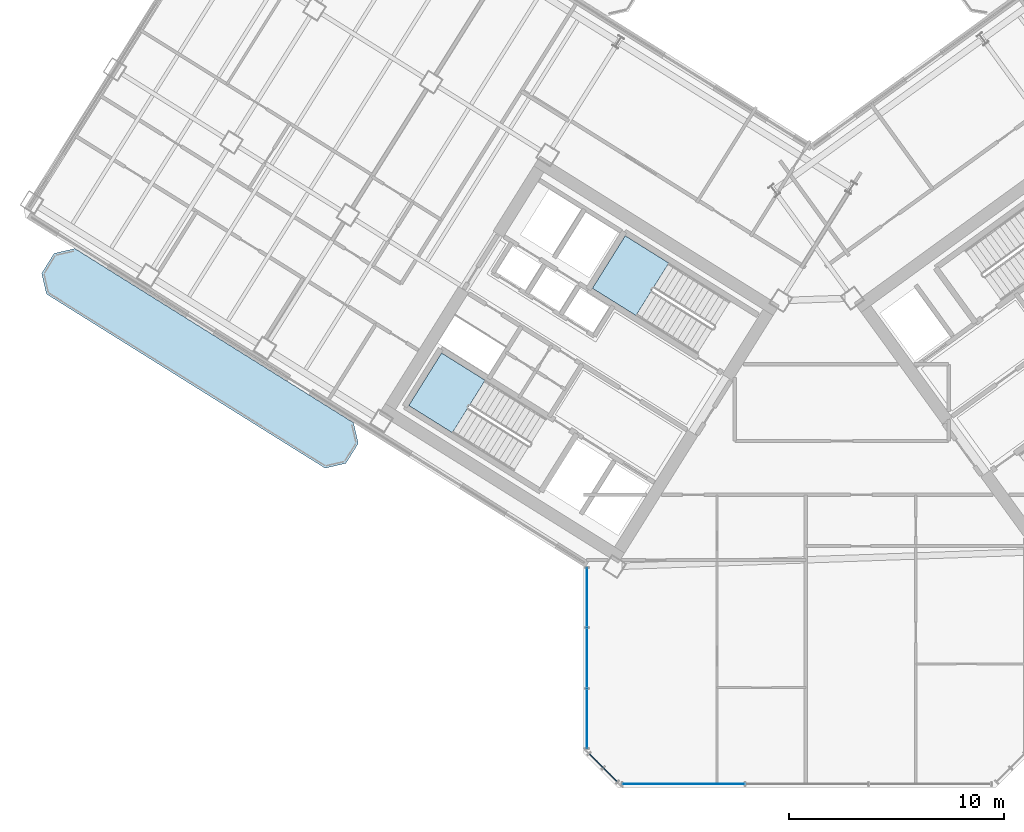
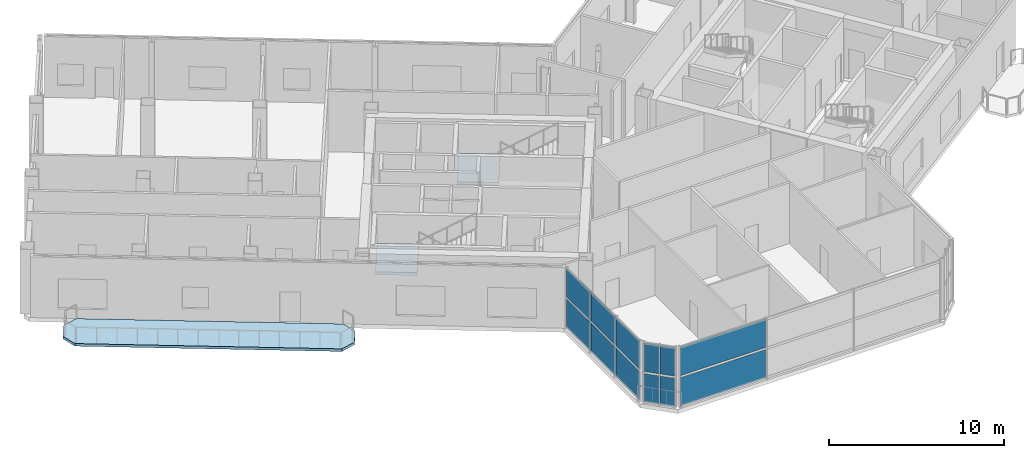
# One storey, part 8 of 21: 12 plates, 3 slabs, 5 elements without a shape of their own.
"""IFC4 building model written with IfcOpenShell, lengths in metres."""

import ifcopenshell
import ifcopenshell.guid

model = None  # the IFC model being written
_history = None  # IfcOwnerHistory: only IFC2X3 demands one
_inside = {}  # id of a spatial element -> (the spatial element, [elements in it])
_under = {}  # id of a project, library or spatial element -> (it, [spatial elements below it])
_declared = {}  # id of a project -> (the project, [libraries it declares])
_typed = {}  # id of a type object -> (the type object, [elements of that type])
_made_of = {}  # id of a material, layer set ... -> (it, [elements and type objects made of it])


def new_model(schema):
    """Start an empty IFC model of exactly this schema.

    Asked for "IFC4X3", IfcOpenShell would pick the latest addendum, in which some entities
    have other attributes; the version numbers below select the first issue.
    IFC2X3 requires an IfcOwnerHistory on every rooted entity: one is made here for all.
    """
    global model, _history
    if schema == "IFC4X3":
        model = ifcopenshell.file(schema_version=(4, 3, 0, 0))
    else:
        model = ifcopenshell.file(schema=schema)
    _inside.clear()
    _under.clear()
    _declared.clear()
    _typed.clear()
    _made_of.clear()
    _history = None
    if model.schema == "IFC2X3":
        org = make("IfcOrganization", Name="unknown")
        user = make(
            "IfcPersonAndOrganization",
            ThePerson=make("IfcPerson", FamilyName="unknown"),
            TheOrganization=org,
        )
        app = make(
            "IfcApplication",
            ApplicationDeveloper=org,
            Version="unknown",
            ApplicationFullName="unknown",
            ApplicationIdentifier="unknown",
        )
        _history = make(
            "IfcOwnerHistory",
            OwningUser=user,
            OwningApplication=app,
            ChangeAction="ADDED",
            CreationDate=0,
        )
    return model


def make(cls, **values):
    """One entity of the class cls with the attributes given. An attribute that is None is left unset."""
    return model.create_entity(
        cls, **{name: value for name, value in values.items() if value is not None}
    )


def rooted(cls, **values):
    """An entity with a GlobalId (a new one), such as an element, a storey or a relation."""
    return make(cls, GlobalId=ifcopenshell.guid.new(), OwnerHistory=_history, **values)


def si_unit(unit_type, name, prefix=None):
    """IfcSIUnit, for example si_unit("LENGTHUNIT", "METRE", prefix="MILLI")."""
    return make("IfcSIUnit", UnitType=unit_type, Prefix=prefix, Name=name)


def assignment(units):
    """IfcUnitAssignment: the units of a project."""
    return None if units is None else make("IfcUnitAssignment", Units=units)


def point(xyz):
    """IfcCartesianPoint."""
    return None if xyz is None else make("IfcCartesianPoint", Coordinates=xyz)


def direction(xyz):
    """IfcDirection."""
    return None if xyz is None else make("IfcDirection", DirectionRatios=xyz)


def frame(location, z_axis=None, x_axis=None):
    """IfcAxis2Placement3D, a coordinate frame: its origin and axes. An axis left out is left unset."""
    return make(
        "IfcAxis2Placement3D",
        Location=point(location),
        Axis=direction(z_axis),
        RefDirection=direction(x_axis),
    )


def frame_2d(location, x_axis=None):
    """IfcAxis2Placement2D, a coordinate frame in the plane: its origin and x axis."""
    return make(
        "IfcAxis2Placement2D", Location=point(location), RefDirection=direction(x_axis)
    )


def origin():
    """The frame at (0, 0, 0) with its axes left unset."""
    return frame((0.0, 0.0, 0.0))


def origin_2d():
    """The frame at (0, 0) in the plane with its x axis left unset."""
    return frame_2d((0.0, 0.0))


def place(relative_to, where):
    """IfcLocalPlacement: puts the frame where relative to a parent placement (None: the world)."""
    return make(
        "IfcLocalPlacement", PlacementRelTo=relative_to, RelativePlacement=where
    )


def context(
    kind, dimensions, precision=None, world=None, true_north=None, identifier=None
):
    """IfcGeometricRepresentationContext, for example the 3D "Model" context."""
    return make(
        "IfcGeometricRepresentationContext",
        ContextIdentifier=identifier,
        ContextType=kind,
        CoordinateSpaceDimension=dimensions,
        Precision=precision,
        WorldCoordinateSystem=world,
        TrueNorth=true_north,
    )


def subcontext(parent, identifier, kind, view, scale=None):
    """IfcGeometricRepresentationSubContext, for example "Body" below "Model"."""
    return make(
        "IfcGeometricRepresentationSubContext",
        ContextIdentifier=identifier,
        ContextType=kind,
        ParentContext=parent,
        TargetScale=scale,
        TargetView=view,
    )


def project(units=None, contexts=None):
    """IfcProject with its units and contexts."""
    return rooted(
        "IfcProject",
        Name="project",
        RepresentationContexts=contexts,
        UnitsInContext=assignment(units),
    )


def spatial(cls, under=None, at=None, **own):
    """A site, building, storey or space (cls), placed at a placement, below another one or the project."""
    s = rooted(cls, ObjectPlacement=at, **own)
    if under is not None:
        _under.setdefault(under.id(), (under, []))[1].append(s)
    return s


def polyline(points):
    """IfcPolyline through the points."""
    return make("IfcPolyline", Points=[point(p) for p in points])


def profile(cls, at=None, kind="AREA", **sizes):
    """A parametric profile (cls). Its sizes go by their IFC names, for example OverallWidth=200.0."""
    return make(cls, ProfileType=kind, Position=at, **sizes)


def rectangle(**sizes):
    """IfcRectangleProfileDef."""
    return profile("IfcRectangleProfileDef", **sizes)


def outline(outer, holes=None, kind="AREA"):
    """IfcArbitraryClosedProfileDef: a profile drawn as a closed curve; with holes, ...WithVoids."""
    if holes is None:
        return make("IfcArbitraryClosedProfileDef", ProfileType=kind, OuterCurve=outer)
    return make(
        "IfcArbitraryProfileDefWithVoids",
        ProfileType=kind,
        OuterCurve=outer,
        InnerCurves=holes,
    )


def extrude(swept, where, along, depth):
    """IfcExtrudedAreaSolid: the profile swept, set in the frame where, extruded along a direction by depth."""
    return make(
        "IfcExtrudedAreaSolid",
        SweptArea=swept,
        Position=where,
        ExtrudedDirection=direction(along),
        Depth=depth,
    )


def shape(context_of_items, identifier, shape_type, items):
    """IfcShapeRepresentation: the items that make up one representation, for example the "Body"."""
    return make(
        "IfcShapeRepresentation",
        ContextOfItems=context_of_items,
        RepresentationIdentifier=identifier,
        RepresentationType=shape_type,
        Items=items,
    )


def source(mapping_origin, context_of_items, identifier, shape_type, items):
    """IfcRepresentationMap: a shape defined once, which mapped items show again and again."""
    return make(
        "IfcRepresentationMap",
        MappingOrigin=mapping_origin,
        MappedRepresentation=shape(context_of_items, identifier, shape_type, items),
    )


def transform(
    local_origin,
    x_axis=None,
    y_axis=None,
    z_axis=None,
    scale=None,
    scale2=None,
    scale3=None,
    uniform=True,
):
    """IfcCartesianTransformationOperator3D, or its non-uniform kind. x_axis, y_axis, z_axis: its Axis1, 2, 3."""
    if uniform:
        return make(
            "IfcCartesianTransformationOperator3D",
            Axis1=direction(x_axis),
            Axis2=direction(y_axis),
            LocalOrigin=point(local_origin),
            Scale=scale,
            Axis3=direction(z_axis),
        )
    return make(
        "IfcCartesianTransformationOperator3DnonUniform",
        Axis1=direction(x_axis),
        Axis2=direction(y_axis),
        LocalOrigin=point(local_origin),
        Scale=scale,
        Axis3=direction(z_axis),
        Scale2=scale2,
        Scale3=scale3,
    )


def mapped(mapping_source, mapping_target):
    """IfcMappedItem: shows the shape of a source again, moved by a transform."""
    return make(
        "IfcMappedItem", MappingSource=mapping_source, MappingTarget=mapping_target
    )


def material(Name=None, Category=None):
    """IfcMaterial."""
    return make("IfcMaterial", Name=Name, Category=Category)


def layer(
    of_material, thickness, ventilated=None, Name=None, Category=None, Priority=None
):
    """IfcMaterialLayer: one layer of a wall or slab, of a material (None: an air gap)."""
    return make(
        "IfcMaterialLayer",
        Material=of_material,
        LayerThickness=thickness,
        IsVentilated=ventilated,
        Name=Name,
        Category=Category,
        Priority=Priority,
    )


def layer_set(layers, Name=None):
    """IfcMaterialLayerSet."""
    return make("IfcMaterialLayerSet", MaterialLayers=layers, LayerSetName=Name)


def made_of(thing, what):
    """Note that an element or type object is made of a material, layer set ...; save() writes the relation."""
    if what is not None:
        _made_of.setdefault(what.id(), (what, []))[1].append(thing)
    return thing


def type_object(cls, material=None, **own):
    """A type object (cls), such as IfcWallType, which elements share."""
    return made_of(rooted(cls, **own), material)


def element(
    cls,
    number,
    at=None,
    inside=None,
    cuts=None,
    type_object=None,
    material=None,
    context=None,
    identifier="Body",
    shape_type=None,
    held_by="IfcProductDefinitionShape",
    body=None,
    shapes=None,
    **own,
):
    """One element of the class cls, such as IfcWall. Its Tag is "e" and its number.

    at: its placement. inside: the storey or other place that contains it. cuts: it is an
    opening in that element (IfcRelVoidsElement). A single representation is given by context,
    identifier, shape_type and body (its items); several are given by shapes. held_by: the class
    of the entity that holds the representations. save() writes the other relations.
    """
    e = rooted(cls, Tag="e%d" % number, ObjectPlacement=at, **own)
    if body is not None:
        shapes = [shape(context, identifier, shape_type, body)]
    if shapes is not None:
        e.Representation = make(held_by, Representations=shapes)
    if inside is not None:
        _inside.setdefault(inside.id(), (inside, []))[1].append(e)
    if cuts is not None:
        rooted(
            "IfcRelVoidsElement", RelatingBuildingElement=cuts, RelatedOpeningElement=e
        )
    if type_object is not None:
        _typed.setdefault(type_object.id(), (type_object, []))[1].append(e)
    return made_of(e, material)


def aggregate(whole, parts):
    """IfcRelAggregates: a whole, such as a stair, and the parts it consists of."""
    return rooted("IfcRelAggregates", RelatingObject=whole, RelatedObjects=parts)


def save(model, path):
    """Write the relations noted so far, then the file.

    IfcRelAggregates (storeys below a building ...), IfcRelContainedInSpatialStructure (elements
    in a storey), IfcRelDefinesByType, IfcRelAssociatesMaterial and IfcRelDeclares: one each for
    every whole, place, type object, material and project.
    """
    for whole, parts in _under.values():
        aggregate(whole, parts)
    for where, things in _inside.values():
        rooted(
            "IfcRelContainedInSpatialStructure",
            RelatedElements=things,
            RelatingStructure=where,
        )
    for kind, things in _typed.values():
        rooted("IfcRelDefinesByType", RelatedObjects=things, RelatingType=kind)
    for what, things in _made_of.values():
        rooted("IfcRelAssociatesMaterial", RelatedObjects=things, RelatingMaterial=what)
    for by, libraries in _declared.values():
        rooted("IfcRelDeclares", RelatingContext=by, RelatedDefinitions=libraries)
    model.write(path)


model = new_model("IFC4")

# Units and contexts
model_context = context("Model", 3, precision=1e-05, world=origin(), true_north=direction((0.0, 1.0)))
body_context = subcontext(model_context, "Body", "Model", "MODEL_VIEW")
ifc_project = project(units=[si_unit("LENGTHUNIT", "METRE"), si_unit("AREAUNIT", "SQUARE_METRE"), si_unit("VOLUMEUNIT", "CUBIC_METRE"), si_unit("PLANEANGLEUNIT", "RADIAN"), si_unit("MASSUNIT", "GRAM", prefix="KILO")], contexts=[model_context])

# Site, building, storey
site_placement = place(None, origin())
site = spatial("IfcSite", under=ifc_project, at=site_placement, CompositionType="ELEMENT")
building_placement = place(site_placement, origin())
building = spatial("IfcBuilding", under=site, at=building_placement, Name="Tlacorven Tower", CompositionType="ELEMENT")
storey_placement = place(building_placement, frame((0.0, 0.0, 199.5)))
storey = spatial("IfcBuildingStorey", under=building, at=storey_placement, Name="L50", CompositionType="ELEMENT", Elevation=199.5)

# Slab
ifc_material_1 = material(Name="Precast concrete C45/55", Category="concrete")
ifc_layer_1 = layer(ifc_material_1, 0.179931640625)
ifc_layer_set_1 = layer_set([ifc_layer_1], Name="Precast concrete C45/55")
slab_type_1 = type_object("IfcSlabType", Name="SL-BAL-180", PredefinedType="USERDEFINED", material=ifc_layer_set_1)
slab_1_placement = place(storey_placement, frame((0.0, 0.0, -0.179931640625)))
element("IfcSlab", 1, at=slab_1_placement, inside=storey, type_object=slab_type_1, Name="L50 West Wing Balcony Ribbon OUT", ObjectType="BALCONY SLAB", PredefinedType="USERDEFINED", context=body_context, shape_type="SweptSolid", body=[
    extrude(outline(polyline([(20.88671875, 18.78271484375), (7.91162109375, 26.890625), (6.947021484375, 26.66796875), (6.366943359375, 25.7392578125), (6.589599609375, 24.774658203125), (19.564697265625, 16.6669921875), (20.529296875, 16.8896484375), (21.109375, 17.818115234375), (20.88671875, 18.78271484375)])), origin(), (0.0, 0.0, 1.0), 0.179931640625),
])

# Stair, slab
ifc_material_2 = material(Name="Concrete C40/50", Category="concrete")
stair_type = type_object("IfcStairType", Name="ST-CORE-DLG", PredefinedType="HALF_TURN_STAIR", material=ifc_material_2)
stair_1_placement = place(storey_placement, origin())
stair_1 = element("IfcStair", 2, at=stair_1_placement, inside=storey, type_object=stair_type, Name="L50 Protected Exit Stair West 1", PredefinedType="HALF_TURN_STAIR")
ifc_layer_2 = layer(ifc_material_2, 0.199951171875)
ifc_layer_set_2 = layer_set([ifc_layer_2], Name="Concrete C40/50")
slab_type_2 = type_object("IfcSlabType", Name="SL-LND-200", PredefinedType="LANDING", material=ifc_layer_set_2)
slab_2_placement = place(storey_placement, frame((0.0, 0.0, 2.050048828125)))
slab_2 = element("IfcSlab", 3, at=slab_2_placement, type_object=slab_type_2, Name="ST-W1 landing 1", PredefinedType="LANDING", context=body_context, shape_type="SweptSolid", body=[
    extrude(outline(polyline([(27.01611328125, 20.76025390625), (24.9892578125, 22.02685546875), (23.463134765625, 19.58447265625), (25.489990234375, 18.31787109375), (27.01611328125, 20.76025390625)])), origin(), (0.0, 0.0, 1.0), 0.199951171875),
])
aggregate(stair_1, [slab_2])

stair_2_placement = place(storey_placement, origin())
stair_2 = element("IfcStair", 4, at=stair_2_placement, inside=storey, type_object=stair_type, Name="L50 Protected Exit Stair West 2", PredefinedType="HALF_TURN_STAIR")
slab_3_placement = place(storey_placement, frame((0.0, 0.0, 2.050048828125)))
slab_3 = element("IfcSlab", 5, at=slab_3_placement, type_object=slab_type_2, Name="ST-W2 landing 1", PredefinedType="LANDING", context=body_context, shape_type="SweptSolid", body=[
    extrude(outline(polyline([(35.567626953125, 26.218017578125), (33.540771484375, 27.484375), (32.0146484375, 25.0419921875), (34.04150390625, 23.775634765625), (35.567626953125, 26.218017578125)])), origin(), (0.0, 0.0, 1.0), 0.199951171875),
])
aggregate(stair_2, [slab_3])

# Curtain wall, plates
ifc_material_3 = material(Name="Dark solar low-E double glazing in aluminium frame", Category="aluminium")
curtain_wall_type = type_object("IfcCurtainWallType", Name="CW-COM-AMENITY", PredefinedType="USERDEFINED", material=ifc_material_3)
curtain_wall_1_placement = place(storey_placement, origin())
curtain_wall_1 = element("IfcCurtainWall", 6, at=curtain_wall_1_placement, inside=storey, type_object=curtain_wall_type, Name="L50 CW-COM-AMENITY Curtain Wall 230", ObjectType="UNITISED CURTAIN WALL", PredefinedType="USERDEFINED")
ifc_material_4 = material(Name="Dark solar acoustic laminated low-E glazing", Category="glass")
ifc_layer_3 = layer(ifc_material_4, 0.035888671875)
ifc_layer_set_3 = layer_set([ifc_layer_3], Name="Dark solar acoustic laminated low-E glazing")
plate_type = type_object("IfcPlateType", Name="CWP-01", PredefinedType="CURTAIN_PANEL", material=ifc_layer_set_3)
shared_shape_1 = source(origin(), body_context, "Body", "SweptSolid", [
    extrude(rectangle(XDim=0.878173828125, YDim=0.035888671875, at=origin_2d()), origin(), (0.0, 0.0, 1.0), 1.98291015625),
])
plate_1_placement = place(storey_placement, frame((32.842041015625, 2.38427734375, 0.071044921875), z_axis=(0.0, 0.0, 1.0), x_axis=(-0.707106781187, 0.707106781187, 0.0)))
plate_1 = element("IfcPlate", 7, at=plate_1_placement, type_object=plate_type, Name="CW-L50-230 Glazing Panel 1", PredefinedType="CURTAIN_PANEL", context=body_context, shape_type="MappedRepresentation", body=[
    mapped(shared_shape_1, transform((0.0, 0.0, 0.0), scale=1.0)),
])
plate_2_placement = place(storey_placement, frame((32.842041015625, 2.38427734375, 2.196044921875), z_axis=(0.0, 0.0, 1.0), x_axis=(-0.707106781187, 0.707106781187, 0.0)))
plate_2 = element("IfcPlate", 8, at=plate_2_placement, type_object=plate_type, Name="CW-L50-230 Glazing Panel 2", PredefinedType="CURTAIN_PANEL", context=body_context, shape_type="MappedRepresentation", body=[
    mapped(shared_shape_1, transform((0.0, 0.0, 0.0), scale=1.0)),
])
plate_3_placement = place(storey_placement, frame((32.184326171875, 3.0419921875, 0.071044921875), z_axis=(0.0, 0.0, 1.0), x_axis=(-0.707106781187, 0.707106781187, 0.0)))
plate_3 = element("IfcPlate", 9, at=plate_3_placement, type_object=plate_type, Name="CW-L50-230 Glazing Panel 3", PredefinedType="CURTAIN_PANEL", context=body_context, shape_type="MappedRepresentation", body=[
    mapped(shared_shape_1, transform((0.0, 0.0, 0.0), scale=1.0)),
])
plate_4_placement = place(storey_placement, frame((32.184326171875, 3.0419921875, 2.196044921875), z_axis=(0.0, 0.0, 1.0), x_axis=(-0.707106781187, 0.707106781187, 0.0)))
plate_4 = element("IfcPlate", 10, at=plate_4_placement, type_object=plate_type, Name="CW-L50-230 Glazing Panel 4", PredefinedType="CURTAIN_PANEL", context=body_context, shape_type="MappedRepresentation", body=[
    mapped(shared_shape_1, transform((0.0, 0.0, 0.0), scale=1.0)),
])
aggregate(curtain_wall_1, [plate_1, plate_2, plate_3, plate_4])

curtain_wall_2_placement = place(storey_placement, origin())
curtain_wall_2 = element("IfcCurtainWall", 11, at=curtain_wall_2_placement, inside=storey, type_object=curtain_wall_type, Name="L50 CW-COM-AMENITY Curtain Wall 229", ObjectType="UNITISED CURTAIN WALL", PredefinedType="USERDEFINED")
shared_shape_2 = source(origin(), body_context, "Body", "SweptSolid", [
    extrude(rectangle(XDim=5.668701171875, YDim=0.035888671875, at=origin_2d()), origin(), (0.0, 0.0, 1.0), 1.98291015625),
])
plate_5_placement = place(storey_placement, frame((36.26171875, 1.9599609375, 0.071044921875), z_axis=(0.0, 0.0, 1.0), x_axis=(-1.0, 0.0, 0.0)))
plate_5 = element("IfcPlate", 12, at=plate_5_placement, type_object=plate_type, Name="CW-L50-229 Glazing Panel 5", PredefinedType="CURTAIN_PANEL", context=body_context, shape_type="MappedRepresentation", body=[
    mapped(shared_shape_2, transform((0.0, 0.0, 0.0), scale=1.0)),
])
plate_6_placement = place(storey_placement, frame((36.26171875, 1.9599609375, 2.196044921875), z_axis=(0.0, 0.0, 1.0), x_axis=(-1.0, 0.0, 0.0)))
plate_6 = element("IfcPlate", 13, at=plate_6_placement, type_object=plate_type, Name="CW-L50-229 Glazing Panel 6", PredefinedType="CURTAIN_PANEL", context=body_context, shape_type="MappedRepresentation", body=[
    mapped(shared_shape_2, transform((0.0, 0.0, 0.0), scale=1.0)),
])
aggregate(curtain_wall_2, [plate_5, plate_6])

curtain_wall_3_placement = place(storey_placement, origin())
curtain_wall_3 = element("IfcCurtainWall", 14, at=curtain_wall_3_placement, inside=storey, type_object=curtain_wall_type, Name="L50 CW-COM-AMENITY Curtain Wall 231", ObjectType="UNITISED CURTAIN WALL", PredefinedType="USERDEFINED")
shared_shape_3 = source(origin(), body_context, "Body", "SweptSolid", [
    extrude(rectangle(XDim=2.751953125, YDim=0.035888671875, at=origin_2d()), origin(), (0.0, 0.0, 1.0), 1.98291015625),
])
plate_7_placement = place(storey_placement, frame((31.760009765625, 5.003173828125, 0.071044921875), z_axis=(0.0, 0.0, 1.0), x_axis=(0.0, 1.0, 0.0)))
plate_7 = element("IfcPlate", 15, at=plate_7_placement, type_object=plate_type, Name="CW-L50-231 Glazing Panel 1", PredefinedType="CURTAIN_PANEL", context=body_context, shape_type="MappedRepresentation", body=[
    mapped(shared_shape_3, transform((0.0, 0.0, 0.0), scale=1.0)),
])
plate_8_placement = place(storey_placement, frame((31.760009765625, 5.003173828125, 2.196044921875), z_axis=(0.0, 0.0, 1.0), x_axis=(0.0, 1.0, 0.0)))
plate_8 = element("IfcPlate", 16, at=plate_8_placement, type_object=plate_type, Name="CW-L50-231 Glazing Panel 2", PredefinedType="CURTAIN_PANEL", context=body_context, shape_type="MappedRepresentation", body=[
    mapped(shared_shape_3, transform((0.0, 0.0, 0.0), scale=1.0)),
])
plate_9_placement = place(storey_placement, frame((31.760009765625, 10.64599609375, 0.071044921875), z_axis=(0.0, 0.0, 1.0), x_axis=(0.0, 1.0, 0.0)))
plate_9 = element("IfcPlate", 17, at=plate_9_placement, type_object=plate_type, Name="CW-L50-231 Glazing Panel 5", PredefinedType="CURTAIN_PANEL", context=body_context, shape_type="MappedRepresentation", body=[
    mapped(shared_shape_3, transform((0.0, 0.0, 0.0), scale=1.0)),
])
plate_10_placement = place(storey_placement, frame((31.760009765625, 10.64599609375, 2.196044921875), z_axis=(0.0, 0.0, 1.0), x_axis=(0.0, 1.0, 0.0)))
plate_10 = element("IfcPlate", 18, at=plate_10_placement, type_object=plate_type, Name="CW-L50-231 Glazing Panel 6", PredefinedType="CURTAIN_PANEL", context=body_context, shape_type="MappedRepresentation", body=[
    mapped(shared_shape_3, transform((0.0, 0.0, 0.0), scale=1.0)),
])
shared_shape_4 = source(origin(), body_context, "Body", "SweptSolid", [
    extrude(rectangle(XDim=2.786865234375, YDim=0.035888671875, at=origin_2d()), origin(), (0.0, 0.0, 1.0), 1.98291015625),
])
plate_11_placement = place(storey_placement, frame((31.760009765625, 7.82470703125, 0.071044921875), z_axis=(0.0, 0.0, 1.0), x_axis=(0.0, 1.0, 0.0)))
plate_11 = element("IfcPlate", 19, at=plate_11_placement, type_object=plate_type, Name="CW-L50-231 Glazing Panel 3", PredefinedType="CURTAIN_PANEL", context=body_context, shape_type="MappedRepresentation", body=[
    mapped(shared_shape_4, transform((0.0, 0.0, 0.0), scale=1.0)),
])
plate_12_placement = place(storey_placement, frame((31.760009765625, 7.82470703125, 2.196044921875), z_axis=(0.0, 0.0, 1.0), x_axis=(0.0, 1.0, 0.0)))
plate_12 = element("IfcPlate", 20, at=plate_12_placement, type_object=plate_type, Name="CW-L50-231 Glazing Panel 4", PredefinedType="CURTAIN_PANEL", context=body_context, shape_type="MappedRepresentation", body=[
    mapped(shared_shape_4, transform((0.0, 0.0, 0.0), scale=1.0)),
])
aggregate(curtain_wall_3, [plate_7, plate_8, plate_11, plate_12, plate_9, plate_10])

save(model, "model.ifc")
